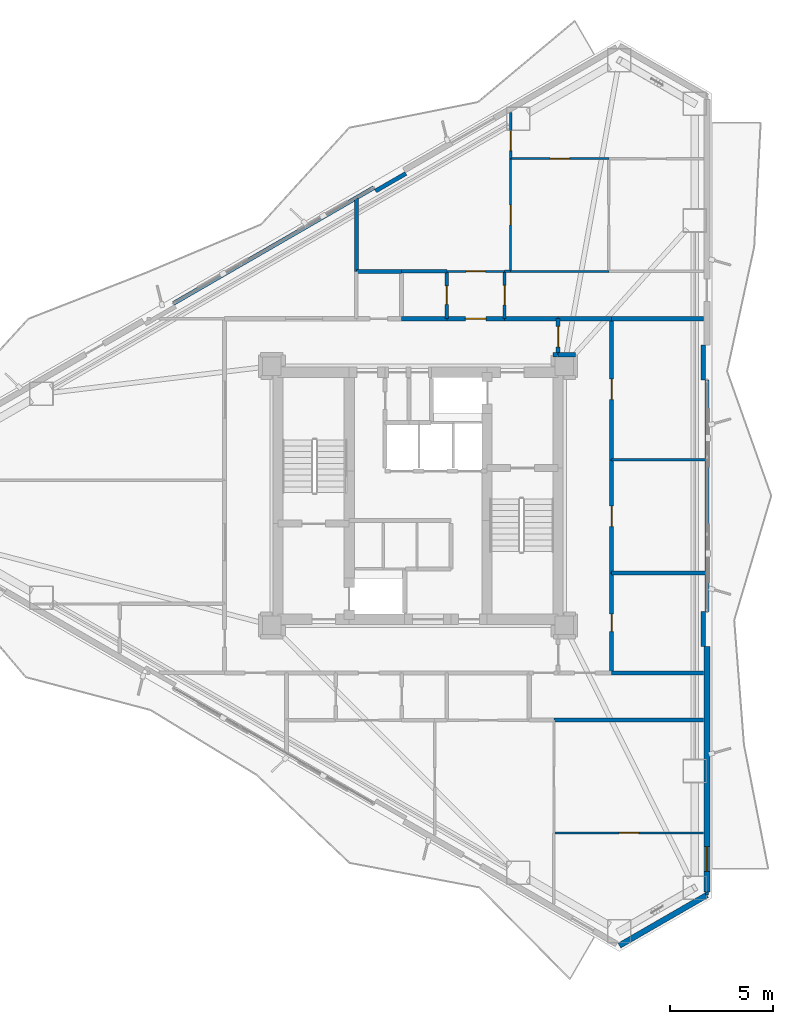
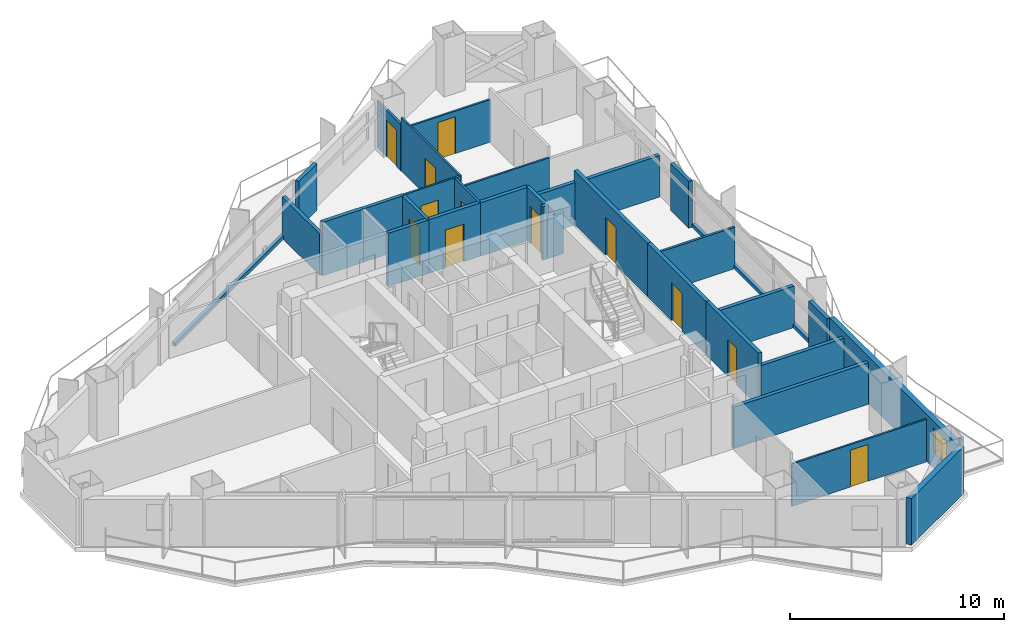
# One storey, part 18 of 22: 35 walls, 12 doors, 1 window, 13 openings.
"""IFC4 building model written with IfcOpenShell, lengths in metres."""

from ifc_helpers import new_model, si_unit, direction, frame, frame_2d, origin, place, context, subcontext, project, spatial, rectangle, extrude, material, layer, layer_set, type_object, element, fill, save


model = new_model("IFC4")

# Units and contexts
model_context = context("Model", 3, precision=1e-05, world=origin(), true_north=direction((0.0, 1.0)))
body_context = subcontext(model_context, "Body", "Model", "MODEL_VIEW")
ifc_project = project(units=[si_unit("LENGTHUNIT", "METRE"), si_unit("AREAUNIT", "SQUARE_METRE"), si_unit("VOLUMEUNIT", "CUBIC_METRE"), si_unit("PLANEANGLEUNIT", "RADIAN"), si_unit("MASSUNIT", "GRAM", prefix="KILO")], contexts=[model_context])

# Site, building, storey
site_placement = place(None, origin())
site = spatial("IfcSite", under=ifc_project, at=site_placement, CompositionType="ELEMENT")
building_placement = place(site_placement, origin())
building = spatial("IfcBuilding", under=site, at=building_placement, Name="Mersakhor Tower and Convention Hall", CompositionType="ELEMENT")
storey_placement = place(building_placement, frame((0.0, 0.0, 83.39990234375)))
storey = spatial("IfcBuildingStorey", under=building, at=storey_placement, Name="L22", CompositionType="ELEMENT", Elevation=83.39990234375)

# Wall
ifc_material_1 = material(Name="Precast concrete C45/55", Category="concrete")
ifc_layer_1 = layer(ifc_material_1, 0.27490234375)
ifc_layer_set_1 = layer_set([ifc_layer_1], Name="Precast concrete C45/55")
wall_type_1 = type_object("IfcWallType", Name="WL-EXT-275", PredefinedType="SOLIDWALL", material=ifc_layer_set_1)
wall_1_placement = place(storey_placement, frame((43.03466796875, 7.355712890625, 0.0), z_axis=(0.0, 0.0, 1.0), x_axis=(-0.866011848704, -0.500023477353, 0.0)))
element("IfcWall", 1, at=wall_1_placement, inside=storey, type_object=wall_type_1, Name="L22 Chamfer Braced Spandrel Wall C2", PredefinedType="SOLIDWALL", context=body_context, shape_type="SweptSolid", body=[
    extrude(rectangle(XDim=4.914306640625, YDim=0.27490234375, at=frame_2d((2.45703125, 0.0))), origin(), (0.0, 0.0, 1.0), 2.670166015625),
])

# Wall, opening, window
wall_2_placement = place(storey_placement, frame((43.03466796875, 19.435302734375, 0.0), z_axis=(0.0, 0.0, 1.0), x_axis=(0.0, -1.0, 0.0)))
wall_2 = element("IfcWall", 2, at=wall_2_placement, inside=storey, type_object=wall_type_1, Name="L22 Exterior Facade Wall F2-B3", PredefinedType="SOLIDWALL", context=body_context, shape_type="SweptSolid", body=[
    extrude(rectangle(XDim=11.9296875, YDim=0.27490234375, at=frame_2d((5.96484375, 0.0))), origin(), (0.0, 0.0, 1.0), 2.670166015625),
])
opening_1_placement = place(wall_2_placement, frame((9.72607421875, 0.0, 0.89990234375)))
opening_1 = element("IfcOpeningElement", 3, at=opening_1_placement, cuts=wall_2, Name="Opening W-01", PredefinedType="OPENING", context=body_context, shape_type="SweptSolid", body=[
    extrude(rectangle(XDim=1.199951171875, YDim=1.39990234375, at=frame_2d((0.60009765625, 0.699951171875))), frame((0.0, 0.1474609375, 0.0), z_axis=(0.0, -1.0, 0.0), x_axis=(1.0, 0.0, 0.0)), (0.0, 0.0, 1.0), 0.294921875),
])
ifc_material_2 = material(Name="Dark solar low-E glazed aluminium window", Category="aluminium")
window_type = type_object("IfcWindowType", Name="WN-RES-120x150", PartitioningType="SINGLE_PANEL", PredefinedType="WINDOW", material=ifc_material_2)
window_placement = place(opening_1_placement, origin())
window = element("IfcWindow", 4, at=window_placement, inside=storey, type_object=window_type, Name="L22 Bedroom Facade Window F2-B3-1", OverallHeight=1.39990234375, OverallWidth=1.199951171875, PartitioningType="SINGLE_PANEL", PredefinedType="WINDOW", context=body_context, shape_type="SweptSolid", body=[
    extrude(rectangle(XDim=1.199951171875, YDim=1.39990234375, at=frame_2d((0.60009765625, 0.699951171875))), frame((0.0, 0.030029296875, 0.0), z_axis=(0.0, -1.0, 0.0), x_axis=(1.0, 0.0, 0.0)), (0.0, 0.0, 1.0), 0.06005859375),
])
fill(opening_1, window)

# Walls
ifc_material_3 = material(Name="Precast concrete C40/50", Category="concrete")
ifc_layer_2 = layer(ifc_material_3, 0.199951171875)
ifc_layer_set_2 = layer_set([ifc_layer_2], Name="Precast concrete C40/50")
wall_type_2 = type_object("IfcWallType", Name="WL-PAR-200", PredefinedType="PARAPET", material=ifc_layer_set_2)
wall_3_placement = place(storey_placement, frame((17.1201171875, 36.096923828125, 0.0), z_axis=(0.0, 0.0, 1.0), x_axis=(0.866027010039, 0.499997217876, 0.0)))
element("IfcWall", 5, at=wall_3_placement, inside=storey, type_object=wall_type_2, Name="L22 Curtain Wall Upstand Sill F1-B2", PredefinedType="PARAPET", context=body_context, shape_type="SweptSolid", body=[
    extrude(rectangle(XDim=11.2294921875, YDim=0.199951171875, at=frame_2d((5.61474609375, 0.0))), origin(), (0.0, 0.0, 1.0), 0.2001953125),
])
wall_4_placement = place(storey_placement, frame((26.935302734375, 41.555908203125, 0.0), z_axis=(0.0, 0.0, 1.0), x_axis=(0.86605165483, 0.499954529098, 0.0)))
element("IfcWall", 6, at=wall_4_placement, inside=storey, type_object=wall_type_2, Name="L22 Column Pier Cladding Wall F1-C2", PredefinedType="PARAPET", context=body_context, shape_type="SweptSolid", body=[
    extrude(rectangle(XDim=1.699951171875, YDim=0.199951171875, at=frame_2d((0.85009765625, 0.0))), origin(), (0.0, 0.0, 1.0), 2.670166015625),
])
wall_5_placement = place(storey_placement, frame((43.03466796875, 32.36474609375, 0.0), z_axis=(0.0, 0.0, 1.0), x_axis=(0.0, -1.0, 0.0)))
element("IfcWall", 7, at=wall_5_placement, inside=storey, type_object=wall_type_2, Name="L22 Curtain Wall Upstand Sill F2-B2", PredefinedType="PARAPET", context=body_context, shape_type="SweptSolid", body=[
    extrude(rectangle(XDim=11.2294921875, YDim=0.199951171875, at=frame_2d((5.61474609375, 0.0))), origin(), (0.0, 0.0, 1.0), 0.2001953125),
])
for number, where, z_axis, x_axis, name in (
    (8, (42.8544921875, 34.064697265625, 0.0), (0.0, 0.0, 1.0), (0.0, -1.0, 0.0), "L22 Column Pier Cladding Wall F2-C1"),
    (9, (42.8544921875, 21.13525390625, 0.0), (0.0, 0.0, 1.0), (0.0, -1.0, 0.0), "L22 Column Pier Cladding Wall F2-C2"),
):
    element("IfcWall", number, at=place(storey_placement, frame(where, z_axis=z_axis, x_axis=x_axis)), inside=storey, type_object=wall_type_2, Name=name, PredefinedType="PARAPET", context=body_context, shape_type="SweptSolid", body=[
        extrude(rectangle(XDim=1.699951171875, YDim=0.199951171875, at=frame_2d((0.85009765625, 0.0))), origin(), (0.0, 0.0, 1.0), 2.670166015625),
    ])

# Wall, opening, door
ifc_material_4 = material(Name="Moisture-resistant acoustic drywall studwork", Category="other")
ifc_layer_3 = layer(ifc_material_4, 0.175048828125)
ifc_layer_set_3 = layer_set([ifc_layer_3], Name="Moisture-resistant acoustic drywall studwork")
wall_type_3 = type_object("IfcWallType", Name="WL-PLM-175", PredefinedType="PLUMBINGWALL", material=ifc_layer_set_3)
wall_6_placement = place(storey_placement, frame((30.39990234375, 35.35009765625, 0.0), z_axis=(0.0, 0.0, 1.0), x_axis=(0.0, 1.0, 0.0)))
wall_6 = element("IfcWall", 10, at=wall_6_placement, inside=storey, type_object=wall_type_3, Name="L22 Interior Partition Wall P-060", PredefinedType="PLUMBINGWALL", context=body_context, shape_type="SweptSolid", body=[
    extrude(rectangle(XDim=2.2998046875, YDim=0.175048828125, at=frame_2d((1.14990234375, 0.0))), origin(), (0.0, 0.0, 1.0), 3.050048828125),
])
opening_2_placement = place(wall_6_placement, frame((0.699951171875, 0.0, 0.0)))
opening_2 = element("IfcOpeningElement", 11, at=opening_2_placement, cuts=wall_6, Name="Opening WD-01", PredefinedType="OPENING", context=body_context, shape_type="SweptSolid", body=[
    extrude(rectangle(XDim=0.89990234375, YDim=2.10009765625, at=frame_2d((0.449951171875, 1.050048828125))), frame((0.0, 0.097412109375, 0.0), z_axis=(0.0, -1.0, 0.0), x_axis=(1.0, 0.0, 0.0)), (0.0, 0.0, 1.0), 0.195068359375),
])
ifc_material_5 = material(Name="Solid-core hardwood leaf in painted steel frame", Category="steel")
door_type_1 = type_object("IfcDoorType", Name="DR-INT-WET-090x210", OperationType="NOTDEFINED", PredefinedType="DOOR", material=ifc_material_5)
door_1_placement = place(opening_2_placement, origin())
door_1 = element("IfcDoor", 12, at=door_1_placement, inside=storey, type_object=door_type_1, Name="L22 L22 Flat N1 Apartment Hall to L22 Flat N1 Bathroom Door", OperationType="SINGLE_SWING_RIGHT", OverallHeight=2.10009765625, OverallWidth=0.89990234375, PredefinedType="DOOR", context=body_context, shape_type="SweptSolid", body=[
    extrude(rectangle(XDim=0.89990234375, YDim=2.10009765625, at=frame_2d((0.449951171875, 1.050048828125))), frame((0.0, 0.02490234375, 0.0), z_axis=(0.0, -1.0, 0.0), x_axis=(1.0, 0.0, 0.0)), (0.0, 0.0, 1.0), 0.050048828125),
])
fill(opening_2, door_1)

# Wall
wall_7_placement = place(storey_placement, frame((28.199951171875, 37.64990234375, 0.0), z_axis=(0.0, 0.0, 1.0), x_axis=(1.0, 0.0, 0.0)))
element("IfcWall", 13, at=wall_7_placement, inside=storey, type_object=wall_type_3, Name="L22 Interior Partition Wall P-071", PredefinedType="PLUMBINGWALL", context=body_context, shape_type="SweptSolid", body=[
    extrude(rectangle(XDim=2.199951171875, YDim=0.175048828125, at=frame_2d((1.10009765625, 0.0))), origin(), (0.0, 0.0, 1.0), 3.050048828125),
])

# Wall, opening, door
ifc_material_6 = material(Name="Lightweight gypsum partition", Category="other")
ifc_layer_4 = layer(ifc_material_6, 0.10009765625)
ifc_layer_set_4 = layer_set([ifc_layer_4], Name="Lightweight gypsum partition")
wall_type_4 = type_object("IfcWallType", Name="WL-PRT-100", PredefinedType="PARTITIONING", material=ifc_layer_set_4)
wall_8_placement = place(storey_placement, frame((30.39990234375, 37.64990234375, 0.0), z_axis=(0.0, 0.0, 1.0), x_axis=(1.0, 0.0, 0.0)))
wall_8 = element("IfcWall", 14, at=wall_8_placement, inside=storey, type_object=wall_type_4, Name="L22 Interior Partition Wall P-058", PredefinedType="PARTITIONING", context=body_context, shape_type="SweptSolid", body=[
    extrude(rectangle(XDim=2.800048828125, YDim=0.10009765625, at=frame_2d((1.39990234375, 0.0))), origin(), (0.0, 0.0, 1.0), 3.050048828125),
])
opening_3_placement = place(wall_8_placement, frame((0.925048828125, 0.0, 0.0)))
opening_3 = element("IfcOpeningElement", 15, at=opening_3_placement, cuts=wall_8, Name="Opening RD-01", PredefinedType="OPENING", context=body_context, shape_type="SweptSolid", body=[
    extrude(rectangle(XDim=0.949951171875, YDim=2.10009765625, at=frame_2d((0.47509765625, 1.050048828125))), frame((0.0, 0.06005859375, 0.0), z_axis=(0.0, -1.0, 0.0), x_axis=(1.0, 0.0, 0.0)), (0.0, 0.0, 1.0), 0.1201171875),
])
ifc_material_7 = material(Name="Solid-core hardwood leaf in painted steel frame", Category="steel")
door_type_2 = type_object("IfcDoorType", Name="DR-INT-RM-095x210", OperationType="NOTDEFINED", PredefinedType="DOOR", material=ifc_material_7)
door_2_placement = place(opening_3_placement, origin())
door_2 = element("IfcDoor", 16, at=door_2_placement, inside=storey, type_object=door_type_2, Name="L22 L22 Flat N1 Apartment Hall to L22 Flat N1 Living and Dining Room Door", OperationType="SINGLE_SWING_RIGHT", OverallHeight=2.10009765625, OverallWidth=0.949951171875, PredefinedType="DOOR", context=body_context, shape_type="SweptSolid", body=[
    extrude(rectangle(XDim=0.949951171875, YDim=2.10009765625, at=frame_2d((0.47509765625, 1.050048828125))), frame((0.0, 0.02490234375, 0.0), z_axis=(0.0, -1.0, 0.0), x_axis=(1.0, 0.0, 0.0)), (0.0, 0.0, 1.0), 0.050048828125),
])
fill(opening_3, door_2)

# Wall
wall_9_placement = place(storey_placement, frame((33.5, 37.64990234375, 0.0), z_axis=(0.0, 0.0, 1.0), x_axis=(1.0, 0.0, 0.0)))
element("IfcWall", 17, at=wall_9_placement, inside=storey, type_object=wall_type_4, Name="L22 Interior Partition Wall P-074", PredefinedType="PARTITIONING", context=body_context, shape_type="SweptSolid", body=[
    extrude(rectangle(XDim=4.77001953125, YDim=0.10009765625, at=frame_2d((2.385009765625, 0.0))), origin(), (0.0, 0.0, 1.0), 2.4228515625),
])

# Wall, opening, door
wall_10_placement = place(storey_placement, frame((33.5, 43.1298828125, 0.0), z_axis=(0.0, 0.0, 1.0), x_axis=(0.0, -1.0, 0.0)))
wall_10 = element("IfcWall", 18, at=wall_10_placement, inside=storey, type_object=wall_type_4, Name="L22 Interior Partition Wall P-096", PredefinedType="PARTITIONING", context=body_context, shape_type="SweptSolid", body=[
    extrude(rectangle(XDim=5.47998046875, YDim=0.10009765625, at=frame_2d((2.739990234375, 0.0))), origin(), (0.0, 0.0, 1.0), 3.050048828125),
])
opening_4_placement = place(wall_10_placement, frame((2.264892578125, 0.0, 0.0)))
opening_4 = element("IfcOpeningElement", 19, at=opening_4_placement, cuts=wall_10, Name="Opening RD-01", PredefinedType="OPENING", context=body_context, shape_type="SweptSolid", body=[
    extrude(rectangle(XDim=0.949951171875, YDim=2.10009765625, at=frame_2d((0.47509765625, 1.050048828125))), frame((0.0, 0.06005859375, 0.0), z_axis=(0.0, -1.0, 0.0), x_axis=(1.0, 0.0, 0.0)), (0.0, 0.0, 1.0), 0.1201171875),
])
door_3_placement = place(opening_4_placement, origin())
door_3 = element("IfcDoor", 20, at=door_3_placement, inside=storey, type_object=door_type_2, Name="L22 L22 Flat N1 Living and Dining Room to L22 Flat N1 Bedroom 1 Door", OperationType="SINGLE_SWING_RIGHT", OverallHeight=2.10009765625, OverallWidth=0.949951171875, PredefinedType="DOOR", context=body_context, shape_type="SweptSolid", body=[
    extrude(rectangle(XDim=0.949951171875, YDim=2.10009765625, at=frame_2d((0.47509765625, 1.050048828125))), frame((0.0, 0.02490234375, 0.0), z_axis=(0.0, -1.0, 0.0), x_axis=(1.0, 0.0, 0.0)), (0.0, 0.0, 1.0), 0.050048828125),
])
fill(opening_4, door_3)

wall_11_placement = place(storey_placement, frame((33.5, 43.1298828125, 0.0), z_axis=(0.0, 0.0, 1.0), x_axis=(1.0, 0.0, 0.0)))
wall_11 = element("IfcWall", 21, at=wall_11_placement, inside=storey, type_object=wall_type_4, Name="L22 Interior Partition Wall P-098", PredefinedType="PARTITIONING", context=body_context, shape_type="SweptSolid", body=[
    extrude(rectangle(XDim=4.77001953125, YDim=0.10009765625, at=frame_2d((2.385009765625, 0.0))), origin(), (0.0, 0.0, 1.0), 2.4228515625),
])
opening_5_placement = place(wall_11_placement, frame((1.909912109375, 0.0, 0.0)))
opening_5 = element("IfcOpeningElement", 22, at=opening_5_placement, cuts=wall_11, Name="Opening RD-01", PredefinedType="OPENING", context=body_context, shape_type="SweptSolid", body=[
    extrude(rectangle(XDim=0.949951171875, YDim=2.10009765625, at=frame_2d((0.47509765625, 1.050048828125))), frame((0.0, 0.06005859375, 0.0), z_axis=(0.0, -1.0, 0.0), x_axis=(1.0, 0.0, 0.0)), (0.0, 0.0, 1.0), 0.1201171875),
])
door_4_placement = place(opening_5_placement, origin())
door_4 = element("IfcDoor", 23, at=door_4_placement, inside=storey, type_object=door_type_2, Name="L22 L22 Flat N1 Bedroom 1 to L22 Flat N1 Dining Room Door", OperationType="SINGLE_SWING_LEFT", OverallHeight=2.10009765625, OverallWidth=0.949951171875, PredefinedType="DOOR", context=body_context, shape_type="SweptSolid", body=[
    extrude(rectangle(XDim=0.949951171875, YDim=2.10009765625, at=frame_2d((0.47509765625, 1.050048828125))), frame((0.0, 0.02490234375, 0.0), z_axis=(0.0, -1.0, 0.0), x_axis=(1.0, 0.0, 0.0)), (0.0, 0.0, 1.0), 0.050048828125),
])
fill(opening_5, door_4)

wall_12_placement = place(storey_placement, frame((35.60009765625, 10.3701171875, 0.0), z_axis=(0.0, 0.0, 1.0), x_axis=(1.0, 0.0, 0.0)))
wall_12 = element("IfcWall", 24, at=wall_12_placement, inside=storey, type_object=wall_type_4, Name="L22 Interior Partition Wall P-104", PredefinedType="PARTITIONING", context=body_context, shape_type="SweptSolid", body=[
    extrude(rectangle(XDim=7.27294921875, YDim=0.10009765625, at=frame_2d((3.636474609375, 0.0))), origin(), (0.0, 0.0, 1.0), 2.4228515625),
])
opening_6_placement = place(wall_12_placement, frame((3.16162109375, 0.0, 0.0)))
opening_6 = element("IfcOpeningElement", 25, at=opening_6_placement, cuts=wall_12, Name="Opening RD-01", PredefinedType="OPENING", context=body_context, shape_type="SweptSolid", body=[
    extrude(rectangle(XDim=0.949951171875, YDim=2.10009765625, at=frame_2d((0.47509765625, 1.050048828125))), frame((0.0, 0.06005859375, 0.0), z_axis=(0.0, -1.0, 0.0), x_axis=(1.0, 0.0, 0.0)), (0.0, 0.0, 1.0), 0.1201171875),
])
door_5_placement = place(opening_6_placement, origin())
door_5 = element("IfcDoor", 26, at=door_5_placement, inside=storey, type_object=door_type_2, Name="L22 L22 Flat S2 Bedroom 2 to L22 Flat S2 Dining Room Door", OperationType="SINGLE_SWING_LEFT", OverallHeight=2.10009765625, OverallWidth=0.949951171875, PredefinedType="DOOR", context=body_context, shape_type="SweptSolid", body=[
    extrude(rectangle(XDim=0.949951171875, YDim=2.10009765625, at=frame_2d((0.47509765625, 1.050048828125))), frame((0.0, 0.02490234375, 0.0), z_axis=(0.0, -1.0, 0.0), x_axis=(1.0, 0.0, 0.0)), (0.0, 0.0, 1.0), 0.050048828125),
])
fill(opening_6, door_5)

ifc_material_8 = material(Name="Gypsum board acoustic partition", Category="other")
ifc_layer_5 = layer(ifc_material_8, 0.125)
ifc_layer_set_5 = layer_set([ifc_layer_5], Name="Gypsum board acoustic partition")
wall_type_5 = type_object("IfcWallType", Name="WL-PRT-125", PredefinedType="PARTITIONING", material=ifc_layer_set_5)
wall_13_placement = place(storey_placement, frame((33.199951171875, 37.64990234375, 0.0), z_axis=(0.0, 0.0, 1.0), x_axis=(0.0, -1.0, 0.0)))
wall_13 = element("IfcWall", 27, at=wall_13_placement, inside=storey, type_object=wall_type_5, Name="L22 Interior Partition Wall P-059", PredefinedType="PARTITIONING", context=body_context, shape_type="SweptSolid", body=[
    extrude(rectangle(XDim=2.2998046875, YDim=0.125, at=frame_2d((1.14990234375, 0.0))), origin(), (0.0, 0.0, 1.0), 3.050048828125),
])
opening_7_placement = place(wall_13_placement, frame((0.675048828125, 0.0, 0.0)))
opening_7 = element("IfcOpeningElement", 28, at=opening_7_placement, cuts=wall_13, Name="Opening RD-01", PredefinedType="OPENING", context=body_context, shape_type="SweptSolid", body=[
    extrude(rectangle(XDim=0.949951171875, YDim=2.10009765625, at=frame_2d((0.47509765625, 1.050048828125))), frame((0.0, 0.072509765625, 0.0), z_axis=(0.0, -1.0, 0.0), x_axis=(1.0, 0.0, 0.0)), (0.0, 0.0, 1.0), 0.14501953125),
])
door_6_placement = place(opening_7_placement, origin())
door_6 = element("IfcDoor", 29, at=door_6_placement, inside=storey, type_object=door_type_2, Name="L22 L22 Flat N1 Apartment Hall to L22 Flat N1 Kitchen Door", OperationType="SINGLE_SWING_LEFT", OverallHeight=2.10009765625, OverallWidth=0.949951171875, PredefinedType="DOOR", context=body_context, shape_type="SweptSolid", body=[
    extrude(rectangle(XDim=0.949951171875, YDim=2.10009765625, at=frame_2d((0.47509765625, 1.050048828125))), frame((0.0, 0.02490234375, 0.0), z_axis=(0.0, -1.0, 0.0), x_axis=(1.0, 0.0, 0.0)), (0.0, 0.0, 1.0), 0.050048828125),
])
fill(opening_7, door_6)

# Walls
wall_14_placement = place(storey_placement, frame((33.199951171875, 37.64990234375, 0.0), z_axis=(0.0, 0.0, 1.0), x_axis=(1.0, 0.0, 0.0)))
element("IfcWall", 30, at=wall_14_placement, inside=storey, type_object=wall_type_5, Name="L22 Interior Partition Wall P-073", PredefinedType="PARTITIONING", context=body_context, shape_type="SweptSolid", body=[
    extrude(rectangle(XDim=0.300048828125, YDim=0.125, at=frame_2d((0.14990234375, 0.0))), origin(), (0.0, 0.0, 1.0), 3.050048828125),
])
wall_15_placement = place(storey_placement, frame((42.99853515625, 28.5, 0.0), z_axis=(0.0, 0.0, 1.0), x_axis=(-1.0, 0.0, 0.0)))
element("IfcWall", 31, at=wall_15_placement, inside=storey, type_object=wall_type_5, Name="L22 Interior Partition Wall P-093", PredefinedType="PARTITIONING", context=body_context, shape_type="SweptSolid", body=[
    extrude(rectangle(XDim=4.5986328125, YDim=0.125, at=frame_2d((2.29931640625, 0.0))), origin(), (0.0, 0.0, 1.0), 2.364990234375),
])

# Wall, opening, door
wall_16_placement = place(storey_placement, frame((33.5, 45.3671875, 0.0), z_axis=(0.0, 0.0, 1.0), x_axis=(0.0, -1.0, 0.0)))
wall_16 = element("IfcWall", 32, at=wall_16_placement, inside=storey, type_object=wall_type_5, Name="L22 Interior Partition Wall P-095", PredefinedType="PARTITIONING", context=body_context, shape_type="SweptSolid", body=[
    extrude(rectangle(XDim=2.2373046875, YDim=0.125, at=frame_2d((1.11865234375, 0.0))), origin(), (0.0, 0.0, 1.0), 2.660400390625),
])
opening_8_placement = place(wall_16_placement, frame((0.897216796875, 0.0, 0.0)))
opening_8 = element("IfcOpeningElement", 33, at=opening_8_placement, cuts=wall_16, Name="Opening RD-01", PredefinedType="OPENING", context=body_context, shape_type="SweptSolid", body=[
    extrude(rectangle(XDim=0.949951171875, YDim=2.10009765625, at=frame_2d((0.47509765625, 1.050048828125))), frame((0.0, 0.072509765625, 0.0), z_axis=(0.0, -1.0, 0.0), x_axis=(1.0, 0.0, 0.0)), (0.0, 0.0, 1.0), 0.14501953125),
])
door_7_placement = place(opening_8_placement, origin())
door_7 = element("IfcDoor", 34, at=door_7_placement, inside=storey, type_object=door_type_2, Name="L22 L22 Flat N1 Living and Dining Room to L22 Flat N1 Dining Room Door", OperationType="SINGLE_SWING_LEFT", OverallHeight=2.10009765625, OverallWidth=0.949951171875, PredefinedType="DOOR", context=body_context, shape_type="SweptSolid", body=[
    extrude(rectangle(XDim=0.949951171875, YDim=2.10009765625, at=frame_2d((0.47509765625, 1.050048828125))), frame((0.0, 0.02490234375, 0.0), z_axis=(0.0, -1.0, 0.0), x_axis=(1.0, 0.0, 0.0)), (0.0, 0.0, 1.0), 0.050048828125),
])
fill(opening_8, door_7)

# Walls
wall_17_placement = place(storey_placement, frame((43.034912109375, 7.505615234375, 0.0), z_axis=(0.0, 0.0, 1.0), x_axis=(0.0, -1.0, 0.0)))
element("IfcWall", 35, at=wall_17_placement, inside=storey, type_object=wall_type_5, Name="L22 Interior Partition Wall P-105", PredefinedType="PARTITIONING", context=body_context, shape_type="SweptSolid", body=[
    extrude(rectangle(XDim=0.149658203125, YDim=0.125, at=frame_2d((0.07470703125, 0.0))), origin(), (0.0, 0.0, 1.0), 3.050048828125),
])
ifc_material_9 = material(Name="Acoustic concrete blockwork and gypsum board", Category="masonry")
ifc_layer_6 = layer(ifc_material_9, 0.199951171875)
ifc_layer_set_6 = layer_set([ifc_layer_6], Name="Acoustic concrete blockwork and gypsum board")
wall_type_6 = type_object("IfcWallType", Name="WL-PRT-200", PredefinedType="PARTITIONING", material=ifc_layer_set_6)
wall_18_placement = place(storey_placement, frame((28.199951171875, 35.35009765625, 0.0), z_axis=(0.0, 0.0, 1.0), x_axis=(1.0, 0.0, 0.0)))
element("IfcWall", 36, at=wall_18_placement, inside=storey, type_object=wall_type_6, Name="L22 Interior Partition Wall P-035", PredefinedType="PARTITIONING", context=body_context, shape_type="SweptSolid", body=[
    extrude(rectangle(XDim=2.199951171875, YDim=0.199951171875, at=frame_2d((1.10009765625, 0.0))), origin(), (0.0, 0.0, 1.0), 3.050048828125),
])

# Wall, opening, door
wall_19_placement = place(storey_placement, frame((30.39990234375, 35.35009765625, 0.0), z_axis=(0.0, 0.0, 1.0), x_axis=(1.0, 0.0, 0.0)))
wall_19 = element("IfcWall", 37, at=wall_19_placement, inside=storey, type_object=wall_type_6, Name="L22 Interior Partition Wall P-036", PredefinedType="PARTITIONING", context=body_context, shape_type="SweptSolid", body=[
    extrude(rectangle(XDim=2.800048828125, YDim=0.199951171875, at=frame_2d((1.39990234375, 0.0))), origin(), (0.0, 0.0, 1.0), 3.050048828125),
])
opening_9_placement = place(wall_19_placement, frame((0.89990234375, 0.0, 0.0)))
opening_9 = element("IfcOpeningElement", 38, at=opening_9_placement, cuts=wall_19, Name="Opening FD-01", PredefinedType="OPENING", context=body_context, shape_type="SweptSolid", body=[
    extrude(rectangle(XDim=1.0, YDim=2.14990234375, at=frame_2d((0.5, 1.074951171875))), frame((0.0, 0.10986328125, 0.0), z_axis=(0.0, -1.0, 0.0), x_axis=(1.0, 0.0, 0.0)), (0.0, 0.0, 1.0), 0.219970703125),
])
ifc_material_10 = material(Name="Fire-rated hardwood leaf and painted steel frame", Category="steel")
door_type_3 = type_object("IfcDoorType", Name="DR-INT-FLT-100x215", OperationType="NOTDEFINED", PredefinedType="DOOR", material=ifc_material_10)
door_8_placement = place(opening_9_placement, origin())
door_8 = element("IfcDoor", 39, at=door_8_placement, inside=storey, type_object=door_type_3, Name="L22 Apartment Entrance Door (Residential Ring Corridor to L22 Flat N1 Apartment Hall)", OperationType="SINGLE_SWING_LEFT", OverallHeight=2.14990234375, OverallWidth=1.0, PredefinedType="DOOR", context=body_context, shape_type="SweptSolid", body=[
    extrude(rectangle(XDim=1.0, YDim=2.14990234375, at=frame_2d((0.5, 1.074951171875))), frame((0.0, 0.02490234375, 0.0), z_axis=(0.0, -1.0, 0.0), x_axis=(1.0, 0.0, 0.0)), (0.0, 0.0, 1.0), 0.050048828125),
])
fill(opening_9, door_8)

# Wall
wall_20_placement = place(storey_placement, frame((33.199951171875, 35.35009765625, 0.0), z_axis=(0.0, 0.0, 1.0), x_axis=(1.0, 0.0, 0.0)))
element("IfcWall", 40, at=wall_20_placement, inside=storey, type_object=wall_type_6, Name="L22 Interior Partition Wall P-037", PredefinedType="PARTITIONING", context=body_context, shape_type="SweptSolid", body=[
    extrude(rectangle(XDim=2.60009765625, YDim=0.199951171875, at=frame_2d((1.300048828125, 0.0))), origin(), (0.0, 0.0, 1.0), 3.050048828125),
])

# Wall, opening, door
wall_21_placement = place(storey_placement, frame((35.800048828125, 35.35009765625, 0.0), z_axis=(0.0, 0.0, 1.0), x_axis=(0.0, -1.0, 0.0)))
wall_21 = element("IfcWall", 41, at=wall_21_placement, inside=storey, type_object=wall_type_6, Name="L22 Interior Partition Wall P-038", PredefinedType="PARTITIONING", context=body_context, shape_type="SweptSolid", body=[
    extrude(rectangle(XDim=1.75, YDim=0.199951171875, at=frame_2d((0.875, 0.0))), origin(), (0.0, 0.0, 1.0), 3.050048828125),
])
opening_10_placement = place(wall_21_placement, frame((0.375, 0.0, 0.0)))
opening_10 = element("IfcOpeningElement", 42, at=opening_10_placement, cuts=wall_21, Name="Opening FD-01", PredefinedType="OPENING", context=body_context, shape_type="SweptSolid", body=[
    extrude(rectangle(XDim=1.0, YDim=2.14990234375, at=frame_2d((0.5, 1.074951171875))), frame((0.0, 0.10986328125, 0.0), z_axis=(0.0, -1.0, 0.0), x_axis=(1.0, 0.0, 0.0)), (0.0, 0.0, 1.0), 0.219970703125),
])
door_9_placement = place(opening_10_placement, origin())
door_9 = element("IfcDoor", 43, at=door_9_placement, inside=storey, type_object=door_type_3, Name="L22 Ring Corridor Fire Door", OperationType="SINGLE_SWING_RIGHT", OverallHeight=2.14990234375, OverallWidth=1.0, PredefinedType="DOOR", context=body_context, shape_type="SweptSolid", body=[
    extrude(rectangle(XDim=1.0, YDim=2.14990234375, at=frame_2d((0.5, 1.074951171875))), frame((0.0, 0.02490234375, 0.0), z_axis=(0.0, -1.0, 0.0), x_axis=(1.0, 0.0, 0.0)), (0.0, 0.0, 1.0), 0.050048828125),
])
fill(opening_10, door_9)

# Walls
wall_22_placement = place(storey_placement, frame((35.77001953125, 33.60009765625, 0.0), z_axis=(0.0, 0.0, 1.0), x_axis=(-1.0, 0.0, 0.0)))
element("IfcWall", 44, at=wall_22_placement, inside=storey, type_object=wall_type_6, Name="L22 Interior Partition Wall P-039", PredefinedType="PARTITIONING", context=body_context, shape_type="SweptSolid", body=[
    extrude(rectangle(XDim=0.219970703125, YDim=0.199951171875, at=frame_2d((0.10986328125, 0.0))), origin(), (0.0, 0.0, 1.0), 3.050048828125),
])
wall_23_placement = place(storey_placement, frame((36.64990234375, 33.60009765625, 0.0), z_axis=(0.0, 0.0, 1.0), x_axis=(-1.0, 0.0, 0.0)))
element("IfcWall", 45, at=wall_23_placement, inside=storey, type_object=wall_type_6, Name="L22 Interior Partition Wall P-050", PredefinedType="PARTITIONING", context=body_context, shape_type="SweptSolid", body=[
    extrude(rectangle(XDim=0.849853515625, YDim=0.199951171875, at=frame_2d((0.4248046875, 0.0))), origin(), (0.0, 0.0, 1.0), 2.4228515625),
])
wall_24_placement = place(storey_placement, frame((35.800048828125, 35.35009765625, 0.0), z_axis=(0.0, 0.0, 1.0), x_axis=(1.0, 0.0, 0.0)))
element("IfcWall", 46, at=wall_24_placement, inside=storey, type_object=wall_type_6, Name="L22 Interior Partition Wall P-051", PredefinedType="PARTITIONING", context=body_context, shape_type="SweptSolid", body=[
    extrude(rectangle(XDim=2.599853515625, YDim=0.199951171875, at=frame_2d((1.2998046875, 0.0))), origin(), (0.0, 0.0, 1.0), 2.4228515625),
])

# Wall, opening, door
wall_25_placement = place(storey_placement, frame((38.39990234375, 35.35009765625, 0.0), z_axis=(0.0, 0.0, 1.0), x_axis=(0.0, -1.0, 0.0)))
wall_25 = element("IfcWall", 47, at=wall_25_placement, inside=storey, type_object=wall_type_6, Name="L22 Interior Partition Wall P-052", PredefinedType="PARTITIONING", context=body_context, shape_type="SweptSolid", body=[
    extrude(rectangle(XDim=6.85009765625, YDim=0.199951171875, at=frame_2d((3.425048828125, 0.0))), origin(), (0.0, 0.0, 1.0), 3.050048828125),
])
opening_11_placement = place(wall_25_placement, frame((2.925048828125, 0.0, 0.0)))
opening_11 = element("IfcOpeningElement", 48, at=opening_11_placement, cuts=wall_25, Name="Opening FD-01", PredefinedType="OPENING", context=body_context, shape_type="SweptSolid", body=[
    extrude(rectangle(XDim=1.0, YDim=2.14990234375, at=frame_2d((0.5, 1.074951171875))), frame((0.0, 0.10986328125, 0.0), z_axis=(0.0, -1.0, 0.0), x_axis=(1.0, 0.0, 0.0)), (0.0, 0.0, 1.0), 0.219970703125),
])
door_10_placement = place(opening_11_placement, origin())
door_10 = element("IfcDoor", 49, at=door_10_placement, inside=storey, type_object=door_type_3, Name="L22 Residential Ring East Corridor to L22 East Wing Ceramics Teaching Studio Door", OperationType="SINGLE_SWING_LEFT", OverallHeight=2.14990234375, OverallWidth=1.0, PredefinedType="DOOR", context=body_context, shape_type="SweptSolid", body=[
    extrude(rectangle(XDim=1.0, YDim=2.14990234375, at=frame_2d((0.5, 1.074951171875))), frame((0.0, 0.02490234375, 0.0), z_axis=(0.0, -1.0, 0.0), x_axis=(1.0, 0.0, 0.0)), (0.0, 0.0, 1.0), 0.050048828125),
])
fill(opening_11, door_10)

wall_26_placement = place(storey_placement, frame((38.39990234375, 28.5, 0.0), z_axis=(0.0, 0.0, 1.0), x_axis=(0.0, -1.0, 0.0)))
wall_26 = element("IfcWall", 50, at=wall_26_placement, inside=storey, type_object=wall_type_6, Name="L22 Interior Partition Wall P-053", PredefinedType="PARTITIONING", context=body_context, shape_type="SweptSolid", body=[
    extrude(rectangle(XDim=5.5, YDim=0.199951171875, at=frame_2d((2.75, 0.0))), origin(), (0.0, 0.0, 1.0), 3.050048828125),
])
opening_12_placement = place(wall_26_placement, frame((2.25, 0.0, 0.0)))
opening_12 = element("IfcOpeningElement", 51, at=opening_12_placement, cuts=wall_26, Name="Opening FD-01", PredefinedType="OPENING", context=body_context, shape_type="SweptSolid", body=[
    extrude(rectangle(XDim=1.0, YDim=2.14990234375, at=frame_2d((0.5, 1.074951171875))), frame((0.0, 0.10986328125, 0.0), z_axis=(0.0, -1.0, 0.0), x_axis=(1.0, 0.0, 0.0)), (0.0, 0.0, 1.0), 0.219970703125),
])
door_11_placement = place(opening_12_placement, origin())
door_11 = element("IfcDoor", 52, at=door_11_placement, inside=storey, type_object=door_type_3, Name="L22 Residential Ring East Corridor to L22 East Wing Shared Laundry Room Door", OperationType="SINGLE_SWING_RIGHT", OverallHeight=2.14990234375, OverallWidth=1.0, PredefinedType="DOOR", context=body_context, shape_type="SweptSolid", body=[
    extrude(rectangle(XDim=1.0, YDim=2.14990234375, at=frame_2d((0.5, 1.074951171875))), frame((0.0, 0.02490234375, 0.0), z_axis=(0.0, -1.0, 0.0), x_axis=(1.0, 0.0, 0.0)), (0.0, 0.0, 1.0), 0.050048828125),
])
fill(opening_12, door_11)

wall_27_placement = place(storey_placement, frame((38.39990234375, 23.0, 0.0), z_axis=(0.0, 0.0, 1.0), x_axis=(0.0, -1.0, 0.0)))
wall_27 = element("IfcWall", 53, at=wall_27_placement, inside=storey, type_object=wall_type_6, Name="L22 Interior Partition Wall P-054", PredefinedType="PARTITIONING", context=body_context, shape_type="SweptSolid", body=[
    extrude(rectangle(XDim=4.85009765625, YDim=0.199951171875, at=frame_2d((2.425048828125, 0.0))), origin(), (0.0, 0.0, 1.0), 3.050048828125),
])
opening_13_placement = place(wall_27_placement, frame((2.0, 0.0, 0.0)))
opening_13 = element("IfcOpeningElement", 54, at=opening_13_placement, cuts=wall_27, Name="Opening SVD-01", PredefinedType="OPENING", context=body_context, shape_type="SweptSolid", body=[
    extrude(rectangle(XDim=0.85009765625, YDim=2.10009765625, at=frame_2d((0.425048828125, 1.050048828125))), frame((0.0, 0.10986328125, 0.0), z_axis=(0.0, -1.0, 0.0), x_axis=(1.0, 0.0, 0.0)), (0.0, 0.0, 1.0), 0.219970703125),
])
ifc_material_11 = material(Name="Fire-rated hardwood leaf and painted steel frame", Category="steel")
door_type_4 = type_object("IfcDoorType", Name="DR-INT-SVC-085x210", OperationType="NOTDEFINED", PredefinedType="DOOR", material=ifc_material_11)
door_12_placement = place(opening_13_placement, origin())
door_12 = element("IfcDoor", 55, at=door_12_placement, inside=storey, type_object=door_type_4, Name="L22 Residential Ring East Corridor to L22 East Wing Household Store Room Door", OperationType="SINGLE_SWING_LEFT", OverallHeight=2.10009765625, OverallWidth=0.85009765625, PredefinedType="DOOR", context=body_context, shape_type="SweptSolid", body=[
    extrude(rectangle(XDim=0.85009765625, YDim=2.10009765625, at=frame_2d((0.425048828125, 1.050048828125))), frame((0.0, 0.02490234375, 0.0), z_axis=(0.0, -1.0, 0.0), x_axis=(1.0, 0.0, 0.0)), (0.0, 0.0, 1.0), 0.050048828125),
])
fill(opening_13, door_12)

# Walls
wall_28_placement = place(storey_placement, frame((26.0, 37.64990234375, 0.0), z_axis=(0.0, 0.0, 1.0), x_axis=(1.0, 0.0, 0.0)))
element("IfcWall", 56, at=wall_28_placement, inside=storey, type_object=wall_type_6, Name="L22 Interior Partition Wall P-064", PredefinedType="PARTITIONING", context=body_context, shape_type="SweptSolid", body=[
    extrude(rectangle(XDim=2.199951171875, YDim=0.199951171875, at=frame_2d((1.10009765625, 0.0))), origin(), (0.0, 0.0, 1.0), 3.050048828125),
])
wall_29_placement = place(storey_placement, frame((42.873046875, 35.35009765625, 0.0), z_axis=(0.0, 0.0, 1.0), x_axis=(-1.0, 0.0, 0.0)))
element("IfcWall", 57, at=wall_29_placement, inside=storey, type_object=wall_type_6, Name="L22 Interior Partition Wall P-072", PredefinedType="PARTITIONING", context=body_context, shape_type="SweptSolid", body=[
    extrude(rectangle(XDim=4.47314453125, YDim=0.199951171875, at=frame_2d((2.236572265625, 0.0))), origin(), (0.0, 0.0, 1.0), 2.364990234375),
])
wall_30_placement = place(storey_placement, frame((26.0, 41.18212890625, 0.0), z_axis=(0.0, 0.0, 1.0), x_axis=(0.0, -1.0, 0.0)))
element("IfcWall", 58, at=wall_30_placement, inside=storey, type_object=wall_type_6, Name="L22 Interior Partition Wall P-084", PredefinedType="PARTITIONING", context=body_context, shape_type="SweptSolid", body=[
    extrude(rectangle(XDim=3.5322265625, YDim=0.199951171875, at=frame_2d((1.76611328125, 0.0))), origin(), (0.0, 0.0, 1.0), 2.364990234375),
])
wall_31_placement = place(storey_placement, frame((38.39990234375, 18.14990234375, 0.0), z_axis=(0.0, 0.0, 1.0), x_axis=(1.0, 0.0, 0.0)))
element("IfcWall", 59, at=wall_31_placement, inside=storey, type_object=wall_type_6, Name="L22 Interior Partition Wall P-087", PredefinedType="PARTITIONING", context=body_context, shape_type="SweptSolid", body=[
    extrude(rectangle(XDim=4.47314453125, YDim=0.199951171875, at=frame_2d((2.236572265625, 0.0))), origin(), (0.0, 0.0, 1.0), 2.364990234375),
])
wall_32_placement = place(storey_placement, frame((42.873046875, 15.85009765625, 0.0), z_axis=(0.0, 0.0, 1.0), x_axis=(-1.0, 0.0, 0.0)))
element("IfcWall", 60, at=wall_32_placement, inside=storey, type_object=wall_type_6, Name="L22 Interior Partition Wall P-088", PredefinedType="PARTITIONING", context=body_context, shape_type="SweptSolid", body=[
    extrude(rectangle(XDim=7.27294921875, YDim=0.199951171875, at=frame_2d((3.636474609375, 0.0))), origin(), (0.0, 0.0, 1.0), 2.364990234375),
])
wall_33_placement = place(storey_placement, frame((42.99853515625, 23.0, 0.0), z_axis=(0.0, 0.0, 1.0), x_axis=(-1.0, 0.0, 0.0)))
element("IfcWall", 61, at=wall_33_placement, inside=storey, type_object=wall_type_6, Name="L22 Interior Partition Wall P-094", PredefinedType="PARTITIONING", context=body_context, shape_type="SweptSolid", body=[
    extrude(rectangle(XDim=4.5986328125, YDim=0.199951171875, at=frame_2d((2.29931640625, 0.0))), origin(), (0.0, 0.0, 1.0), 2.364990234375),
])

save(model, "model.ifc")
